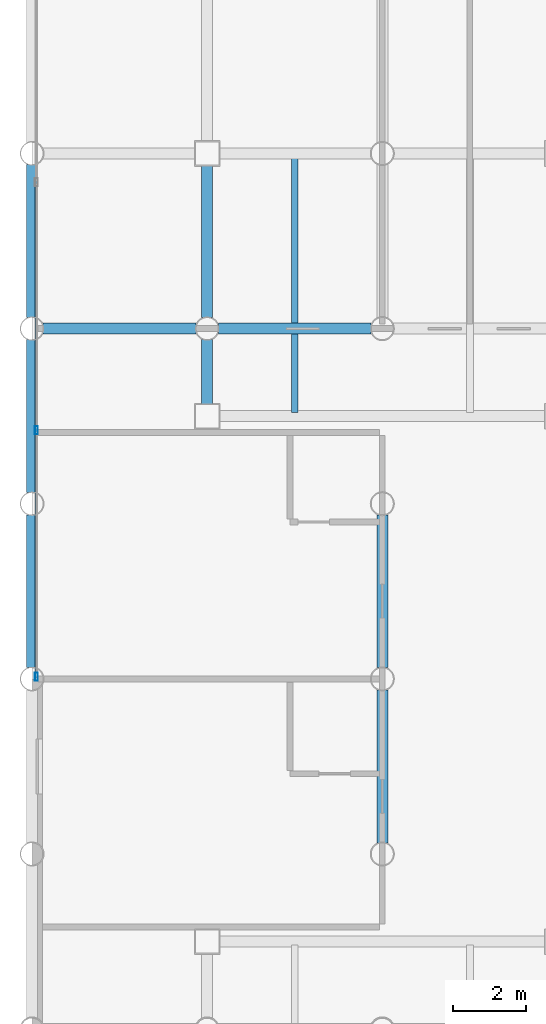
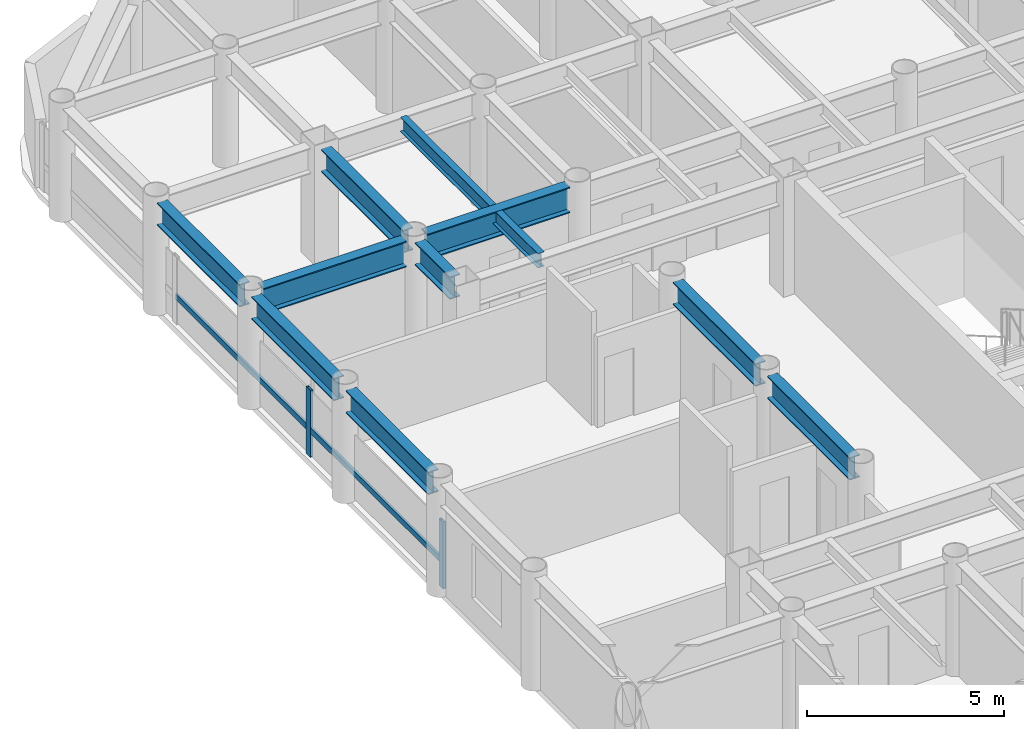
# One storey, part 4 of 20: 10 beams, 4 members, 1 element without a shape of its own.
"""IFC4 building model written with IfcOpenShell, lengths in metres."""

from ifc_helpers import new_model, si_unit, direction, frame, origin, origin_2d, place, context, subcontext, project, spatial, hollow_rectangle, i_section, extrude, material, layer, layer_set, material_profile, profile_set, type_object, element, aggregate, save


model = new_model("IFC4")

# Units and contexts
model_context = context("Model", 3, precision=1e-05, world=origin(), true_north=direction((0.0, 1.0)))
body_context = subcontext(model_context, "Body", "Model", "MODEL_VIEW")
ifc_project = project(units=[si_unit("LENGTHUNIT", "METRE"), si_unit("AREAUNIT", "SQUARE_METRE"), si_unit("VOLUMEUNIT", "CUBIC_METRE"), si_unit("PLANEANGLEUNIT", "RADIAN"), si_unit("MASSUNIT", "GRAM", prefix="KILO")], contexts=[model_context])

# Site, building, storey
site_placement = place(None, origin())
site = spatial("IfcSite", under=ifc_project, at=site_placement, CompositionType="ELEMENT")
building_placement = place(site_placement, origin())
building = spatial("IfcBuilding", under=site, at=building_placement, Name="Kallvorn Hotel Tower", CompositionType="ELEMENT")
storey_placement = place(building_placement, frame((0.0, 0.0, 98.89990234375)))
storey = spatial("IfcBuildingStorey", under=building, at=storey_placement, Name="L23", CompositionType="ELEMENT", Elevation=98.89990234375)

# Beams
ifc_material_1 = material(Name="Structural steel S355JR", Category="steel")
ifc_material_profile_1 = material_profile(ifc_material_1, i_section(OverallWidth=0.300048828125, OverallDepth=0.699951171875, WebThickness=0.01708984375, FlangeThickness=0.031982421875, at=origin_2d()), Name="HE 700 B")
ifc_profile_set_1 = profile_set([ifc_material_profile_1], Name="Structural steel S355JR")
beam_type_1 = type_object("IfcBeamType", Name="BM_HE700B", PredefinedType="BEAM", material=ifc_profile_set_1)
beam_1_placement = place(storey_placement, frame((-28.800048828125, 0.304931640625, 3.170166015625), z_axis=(0.0, 1.0, 0.0), x_axis=(-1.0, 0.0, 0.0)))
element("IfcBeam", 1, at=beam_1_placement, inside=storey, type_object=beam_type_1, Name="L24 Primary Y-Girder 77", PredefinedType="BEAM", context=body_context, shape_type="SweptSolid", body=[
    extrude(i_section(OverallWidth=0.300048828125, OverallDepth=0.699951171875, WebThickness=0.01708984375, FlangeThickness=0.031982421875, at=origin_2d()), origin(), (0.0, 0.0, 1.0), 4.190185546875),
])
for number, where, z_axis, x_axis, name in (
    (2, (-28.800048828125, 5.10498046875, 3.170166015625), (0.0, 1.0, 0.0), (-1.0, 0.0, 0.0), "L24 Primary Y-Girder 78"),
    (3, (-28.800048828125, 9.905029296875, 3.170166015625), (0.0, 1.0, 0.0), (-1.0, 0.0, 0.0), "L24 Primary Y-Girder 79"),
):
    element("IfcBeam", number, at=place(storey_placement, frame(where, z_axis=z_axis, x_axis=x_axis)), inside=storey, type_object=beam_type_1, Name=name, PredefinedType="BEAM", context=body_context, shape_type="SweptSolid", body=[
        extrude(i_section(OverallWidth=0.300048828125, OverallDepth=0.699951171875, WebThickness=0.01708984375, FlangeThickness=0.031982421875, at=origin_2d()), origin(), (0.0, 0.0, 1.0), 4.18994140625),
    ])
beam_2_placement = place(storey_placement, frame((-24.0, 7.52490234375, 3.170166015625), z_axis=(0.0, 1.0, 0.0), x_axis=(-1.0, 0.0, 0.0)))
element("IfcBeam", 4, at=beam_2_placement, inside=storey, type_object=beam_type_1, Name="L24 Primary Y-Girder 84", PredefinedType="BEAM", context=body_context, shape_type="SweptSolid", body=[
    extrude(i_section(OverallWidth=0.300048828125, OverallDepth=0.699951171875, WebThickness=0.01708984375, FlangeThickness=0.031982421875, at=origin_2d()), origin(), (0.0, 0.0, 1.0), 1.77001953125),
])
beam_3_placement = place(storey_placement, frame((-24.0, 9.905029296875, 3.170166015625), z_axis=(0.0, 1.0, 0.0), x_axis=(-1.0, 0.0, 0.0)))
element("IfcBeam", 5, at=beam_3_placement, inside=storey, type_object=beam_type_1, Name="L24 Primary Y-Girder 85", PredefinedType="BEAM", context=body_context, shape_type="SweptSolid", body=[
    extrude(i_section(OverallWidth=0.300048828125, OverallDepth=0.699951171875, WebThickness=0.01708984375, FlangeThickness=0.031982421875, at=origin_2d()), origin(), (0.0, 0.0, 1.0), 4.169921875),
])
for number, where, z_axis, x_axis, name in (
    (6, (-19.199951171875, -4.4951171875, 3.170166015625), (0.0, 1.0, 0.0), (-1.0, 0.0, 0.0), "L24 Primary Y-Girder 91"),
    (7, (-19.199951171875, 0.304931640625, 3.170166015625), (0.0, 1.0, 0.0), (-1.0, 0.0, 0.0), "L24 Primary Y-Girder 92"),
):
    element("IfcBeam", number, at=place(storey_placement, frame(where, z_axis=z_axis, x_axis=x_axis)), inside=storey, type_object=beam_type_1, Name=name, PredefinedType="BEAM", context=body_context, shape_type="SweptSolid", body=[
        extrude(i_section(OverallWidth=0.300048828125, OverallDepth=0.699951171875, WebThickness=0.01708984375, FlangeThickness=0.031982421875, at=origin_2d()), origin(), (0.0, 0.0, 1.0), 4.190185546875),
    ])
ifc_material_2 = material(Name="Structural steel S355JR", Category="steel")
ifc_material_profile_2 = material_profile(ifc_material_2, i_section(OverallWidth=0.300048828125, OverallDepth=0.800048828125, WebThickness=0.017578125, FlangeThickness=0.032958984375, at=origin_2d()), Name="HE 800 B")
ifc_profile_set_2 = profile_set([ifc_material_profile_2], Name="Structural steel S355JR")
beam_type_2 = type_object("IfcBeamType", Name="BM_HE800B", PredefinedType="BEAM", material=ifc_profile_set_2)
for number, where, z_axis, x_axis, name in (
    (8, (-28.4951171875, 9.60009765625, 3.1201171875), (1.0, 0.0, 0.0), (0.0, 1.0, 0.0), "L24 Primary X-Girder 41"),
    (9, (-23.695068359375, 9.60009765625, 3.1201171875), (1.0, 0.0, 0.0), (0.0, 1.0, 0.0), "L24 Primary X-Girder 42"),
):
    element("IfcBeam", number, at=place(storey_placement, frame(where, z_axis=z_axis, x_axis=x_axis)), inside=storey, type_object=beam_type_2, Name=name, PredefinedType="BEAM", context=body_context, shape_type="SweptSolid", body=[
        extrude(i_section(OverallWidth=0.300048828125, OverallDepth=0.800048828125, WebThickness=0.017578125, FlangeThickness=0.032958984375, at=origin_2d()), origin(), (0.0, 0.0, 1.0), 4.190185546875),
    ])
ifc_material_3 = material(Name="Structural steel S355JR", Category="steel")
ifc_material_profile_3 = material_profile(ifc_material_3, i_section(OverallWidth=0.18994140625, OverallDepth=0.449951171875, WebThickness=0.009521484375, FlangeThickness=0.0146484375, at=origin_2d()), Name="IPE 450")
ifc_profile_set_3 = profile_set([ifc_material_profile_3], Name="Structural steel S355JR")
beam_type_3 = type_object("IfcBeamType", Name="BM_IPE450", PredefinedType="JOIST", material=ifc_profile_set_3)
beam_4_placement = place(storey_placement, frame((-21.60009765625, 7.300048828125, 3.295166015625), z_axis=(0.0, 1.0, 0.0), x_axis=(-1.0, 0.0, 0.0)))
element("IfcBeam", 10, at=beam_4_placement, inside=storey, type_object=beam_type_3, Name="L24 Secondary Composite Joist 193", PredefinedType="JOIST", context=body_context, shape_type="SweptSolid", body=[
    extrude(i_section(OverallWidth=0.18994140625, OverallDepth=0.449951171875, WebThickness=0.009521484375, FlangeThickness=0.0146484375, at=origin_2d()), origin(), (0.0, 0.0, 1.0), 7.0),
])

# Curtain wall, members
ifc_material_4 = material(Name="Thermally broken black-anodised aluminium AA 6063-T6", Category="aluminium")
ifc_layer = layer(ifc_material_4, 0.199951171875)
ifc_layer_set = layer_set([ifc_layer], Name="CW_SYS_3_HOTEL_LOW")
curtain_wall_type = type_object("IfcCurtainWallType", Name="CW_SYS_3_HOTEL_LOW", PredefinedType="USERDEFINED", material=ifc_layer_set)
curtain_wall_placement = place(storey_placement, origin())
curtain_wall = element("IfcCurtainWall", 11, at=curtain_wall_placement, inside=storey, type_object=curtain_wall_type, Name="L23 Dark-Glass Curtain Wall CW-L23-WN", ObjectType="UNITISED CURTAIN WALL", PredefinedType="USERDEFINED")
ifc_material_5 = material(Name="Thermally broken black-anodised aluminium AA 6063-T6", Category="aluminium")
ifc_material_profile_4 = material_profile(ifc_material_5, hollow_rectangle(XDim=0.080078125, YDim=0.219970703125, WallThickness=0.0048828125, at=origin_2d()), Name="MUL 220x80")
ifc_profile_set_4 = profile_set([ifc_material_profile_4], Name="Thermally broken black-anodised aluminium AA 6063-T6")
member_type_1 = type_object("IfcMemberType", Name="CW_MULLION_220x80", PredefinedType="MULLION", material=ifc_profile_set_4)
member_1_placement = place(storey_placement, frame((-28.679931640625, 0.06005859375, 0.02001953125), z_axis=(0.0, 0.0, 1.0), x_axis=(1.0, 0.0, 0.0)))
member_1 = element("IfcMember", 12, at=member_1_placement, type_object=member_type_1, Name="CW-L23-WN Mullion 00", PredefinedType="MULLION", context=body_context, shape_type="SweptSolid", body=[
    extrude(hollow_rectangle(XDim=0.080078125, YDim=0.219970703125, WallThickness=0.0048828125, at=origin_2d()), origin(), (0.0, 0.0, 1.0), 2.080078125),
])
member_2_placement = place(storey_placement, frame((-28.679931640625, 6.813232421875, 0.02001953125), z_axis=(0.0, 0.0, 1.0), x_axis=(1.0, 0.0, 0.0)))
member_2 = element("IfcMember", 13, at=member_2_placement, type_object=member_type_1, Name="CW-L23-WN Mullion 01", PredefinedType="MULLION", context=body_context, shape_type="SweptSolid", body=[
    extrude(hollow_rectangle(XDim=0.080078125, YDim=0.219970703125, WallThickness=0.0048828125, at=origin_2d()), origin(), (0.0, 0.0, 1.0), 2.080078125),
])
ifc_material_6 = material(Name="Thermally broken black-anodised aluminium AA 6063-T6", Category="aluminium")
ifc_material_profile_5 = material_profile(ifc_material_6, hollow_rectangle(XDim=0.070068359375, YDim=0.179931640625, WallThickness=0.00390625, at=origin_2d()), Name="TRN 180x70")
ifc_profile_set_5 = profile_set([ifc_material_profile_5], Name="Thermally broken black-anodised aluminium AA 6063-T6")
member_type_2 = type_object("IfcMemberType", Name="CW_TRANSOM_180x70", PredefinedType="USERDEFINED", material=ifc_profile_set_5)
member_3_placement = place(storey_placement, frame((-28.679931640625, 0.06005859375, 0.85009765625), z_axis=(0.0, 1.0, 0.0), x_axis=(-1.0, 0.0, 0.0)))
member_3 = element("IfcMember", 14, at=member_3_placement, type_object=member_type_2, Name="CW-L23-WN Transom 00M", ObjectType="TRANSOM", PredefinedType="USERDEFINED", context=body_context, shape_type="SweptSolid", body=[
    extrude(hollow_rectangle(XDim=0.070068359375, YDim=0.179931640625, WallThickness=0.00390625, at=origin_2d()), origin(), (0.0, 0.0, 1.0), 6.713134765625),
])
member_4_placement = place(storey_placement, frame((-28.679931640625, 6.853271484375, 0.85009765625), z_axis=(0.0, 1.0, 0.0), x_axis=(-1.0, 0.0, 0.0)))
member_4 = element("IfcMember", 15, at=member_4_placement, type_object=member_type_2, Name="CW-L23-WN Transom 01M", ObjectType="TRANSOM", PredefinedType="USERDEFINED", context=body_context, shape_type="SweptSolid", body=[
    extrude(hollow_rectangle(XDim=0.070068359375, YDim=0.179931640625, WallThickness=0.00390625, at=origin_2d()), origin(), (0.0, 0.0, 1.0), 6.71337890625),
])
aggregate(curtain_wall, [member_1, member_2, member_3, member_4])

save(model, "model.ifc")
